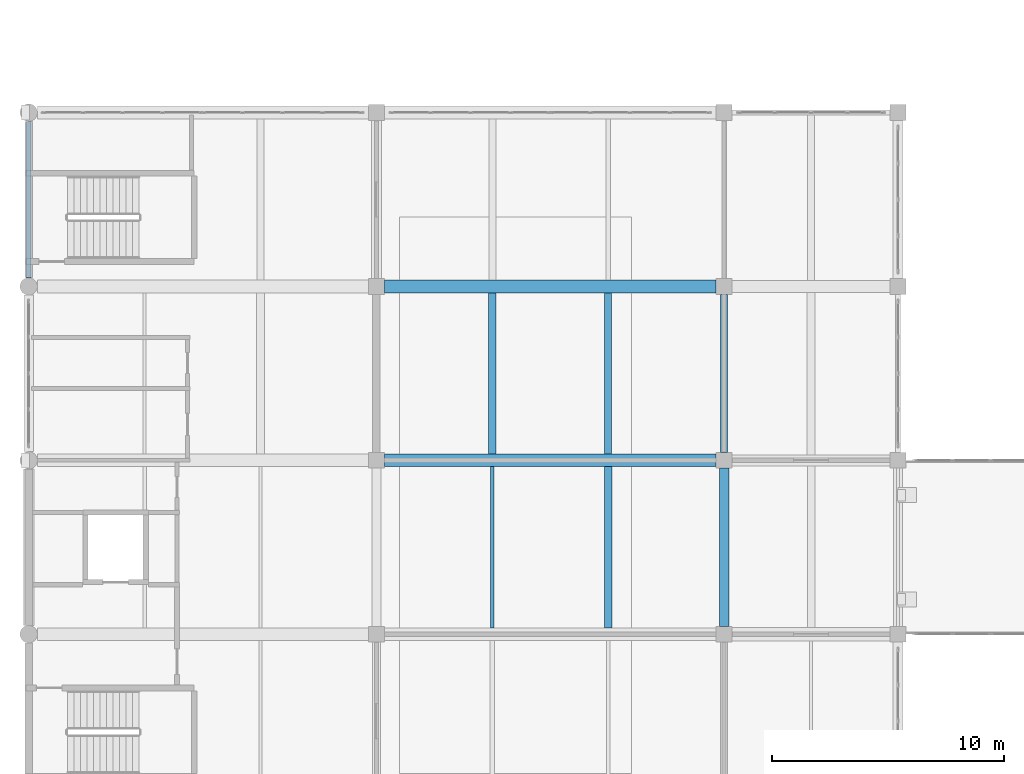
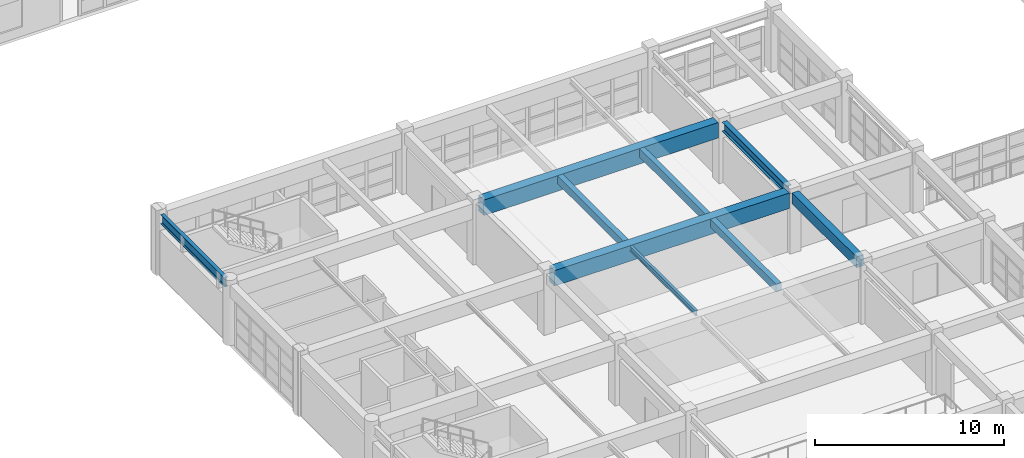
# One storey, part 19 of 132: 9 beams.
"""IFC4 building model written with IfcOpenShell, lengths in metres."""

from ifc_helpers import new_model, si_unit, direction, frame, origin, origin_2d, place, context, subcontext, project, spatial, rectangle, i_section, extrude, material, material_profile, profile_set, type_object, element, save


model = new_model("IFC4")

# Units and contexts
model_context = context("Model", 3, precision=1e-05, world=origin(), true_north=direction((0.0, 1.0)))
body_context = subcontext(model_context, "Body", "Model", "MODEL_VIEW")
ifc_project = project(units=[si_unit("LENGTHUNIT", "METRE"), si_unit("AREAUNIT", "SQUARE_METRE"), si_unit("VOLUMEUNIT", "CUBIC_METRE"), si_unit("PLANEANGLEUNIT", "RADIAN"), si_unit("MASSUNIT", "GRAM", prefix="KILO")], contexts=[model_context])

# Site, building, storey
site_placement = place(None, origin())
site = spatial("IfcSite", under=ifc_project, at=site_placement, CompositionType="ELEMENT")
building_placement = place(site_placement, origin())
building = spatial("IfcBuilding", under=site, at=building_placement, Name="Qasida Concert Hall", CompositionType="ELEMENT")
storey_placement = place(building_placement, frame((0.0, 0.0, 4.800048828125)))
storey = spatial("IfcBuildingStorey", under=building, at=storey_placement, Name="L01", CompositionType="ELEMENT", Elevation=4.800048828125)

# Beams
ifc_material_1 = material(Name="Concrete C40/50", Category="concrete")
ifc_material_profile_1 = material_profile(ifc_material_1, rectangle(XDim=0.419921875, YDim=0.699951171875, at=origin_2d()), Name="RC 420x700")
ifc_profile_set_1 = profile_set([ifc_material_profile_1], Name="Concrete C40/50")
beam_type_1 = type_object("IfcBeamType", Name="BM-B11", PredefinedType="BEAM", material=ifc_profile_set_1)
beam_1_placement = place(storey_placement, frame((30.0, 30.340087890625, 3.570068359375), z_axis=(0.0, 1.0, 0.0), x_axis=(-1.0, 0.0, 0.0)))
element("IfcBeam", 1, at=beam_1_placement, inside=storey, type_object=beam_type_1, Name="L01 girder 0938", PredefinedType="BEAM", context=body_context, shape_type="SweptSolid", body=[
    extrude(rectangle(XDim=0.419921875, YDim=0.699951171875, at=origin_2d()), origin(), (0.0, 0.0, 1.0), 6.81982421875),
])
ifc_material_2 = material(Name="Steel S355J2", Category="steel")
ifc_material_profile_2 = material_profile(ifc_material_2, i_section(OverallWidth=0.300048828125, OverallDepth=0.60009765625, WebThickness=0.015380859375, FlangeThickness=0.030029296875, FilletRadius=0.027099609375, at=origin_2d()), Name="HEB 600")
ifc_profile_set_2 = profile_set([ifc_material_profile_2], Name="Steel S355J2")
beam_type_2 = type_object("IfcBeamType", Name="BM-B6", PredefinedType="BEAM", material=ifc_profile_set_2)
beam_2_placement = place(storey_placement, frame((30.0, 37.840087890625, 3.619873046875), z_axis=(0.0, 1.0, 0.0), x_axis=(-1.0, 0.0, 0.0)))
element("IfcBeam", 2, at=beam_2_placement, inside=storey, type_object=beam_type_2, Name="L01 girder 0939", PredefinedType="BEAM", context=body_context, shape_type="SweptSolid", body=[
    extrude(i_section(OverallWidth=0.300048828125, OverallDepth=0.60009765625, WebThickness=0.015380859375, FlangeThickness=0.030029296875, FilletRadius=0.027099609375, at=origin_2d()), origin(), (0.0, 0.0, 1.0), 6.81982421875),
])
ifc_material_profile_3 = material_profile(ifc_material_1, rectangle(XDim=0.550048828125, YDim=1.0, at=origin_2d()), Name="RC 550x1000")
ifc_profile_set_3 = profile_set([ifc_material_profile_3], Name="Concrete C40/50")
beam_type_3 = type_object("IfcBeamType", Name="BM-G3", PredefinedType="USERDEFINED", material=ifc_profile_set_3)
for number, where, z_axis, x_axis, name in (
    (3, (15.340087890625, 37.5, 3.419921875), (1.0, 0.0, 0.0), (0.0, 1.0, 0.0), "Primary girder 0912"),
    (4, (15.340087890625, 45.0, 3.419921875), (1.0, 0.0, 0.0), (0.0, 1.0, 0.0), "Primary girder 0915"),
):
    element("IfcBeam", number, at=place(storey_placement, frame(where, z_axis=z_axis, x_axis=x_axis)), inside=storey, type_object=beam_type_3, Name=name, ObjectType="GIRDER", PredefinedType="USERDEFINED", context=body_context, shape_type="SweptSolid", body=[
        extrude(rectangle(XDim=0.550048828125, YDim=1.0, at=origin_2d()), origin(), (0.0, 0.0, 1.0), 14.31982421875),
    ])
ifc_material_profile_4 = material_profile(ifc_material_1, rectangle(XDim=0.300048828125, YDim=0.550048828125, at=origin_2d()), Name="RC 300x550")
ifc_profile_set_4 = profile_set([ifc_material_profile_4], Name="Concrete C40/50")
beam_type_4 = type_object("IfcBeamType", Name="BM-J1", PredefinedType="JOIST", material=ifc_profile_set_4)
beam_3_placement = place(storey_placement, frame((25.0, 37.77490234375, 3.64501953125), z_axis=(0.0, 1.0, 0.0), x_axis=(-1.0, 0.0, 0.0)))
element("IfcBeam", 5, at=beam_3_placement, inside=storey, type_object=beam_type_4, Name="L01 secondary joist 0967", PredefinedType="JOIST", context=body_context, shape_type="SweptSolid", body=[
    extrude(rectangle(XDim=0.300048828125, YDim=0.550048828125, at=origin_2d()), origin(), (0.0, 0.0, 1.0), 6.9501953125),
])
ifc_material_profile_5 = material_profile(ifc_material_2, i_section(OverallWidth=0.159912109375, OverallDepth=0.330078125, WebThickness=0.007568359375, FlangeThickness=0.011474609375, FilletRadius=0.01806640625, at=origin_2d()), Name="IPE 330")
ifc_profile_set_5 = profile_set([ifc_material_profile_5], Name="Steel S355J2")
beam_type_5 = type_object("IfcBeamType", Name="BM-J5", PredefinedType="JOIST", material=ifc_profile_set_5)
beam_4_placement = place(storey_placement, frame((20.0, 30.27490234375, 3.7548828125), z_axis=(0.0, 1.0, 0.0), x_axis=(-1.0, 0.0, 0.0)))
element("IfcBeam", 6, at=beam_4_placement, inside=storey, type_object=beam_type_5, Name="L01 secondary joist 0964", PredefinedType="JOIST", context=body_context, shape_type="SweptSolid", body=[
    extrude(i_section(OverallWidth=0.159912109375, OverallDepth=0.330078125, WebThickness=0.007568359375, FlangeThickness=0.011474609375, FilletRadius=0.01806640625, at=origin_2d()), origin(), (0.0, 0.0, 1.0), 6.9501953125),
])
ifc_material_profile_6 = material_profile(ifc_material_1, rectangle(XDim=0.320068359375, YDim=0.5, at=origin_2d()), Name="RC 320x500")
ifc_profile_set_6 = profile_set([ifc_material_profile_6], Name="Concrete C40/50")
beam_type_6 = type_object("IfcBeamType", Name="BM-J7", PredefinedType="JOIST", material=ifc_profile_set_6)
for number, where, z_axis, x_axis, name in (
    (7, (25.0, 30.27490234375, 3.669921875), (0.0, 1.0, 0.0), (-1.0, 0.0, 0.0), "L01 secondary joist 0965"),
    (8, (20.0, 37.77490234375, 3.669921875), (0.0, 1.0, 0.0), (-1.0, 0.0, 0.0), "L01 secondary joist 0966"),
):
    element("IfcBeam", number, at=place(storey_placement, frame(where, z_axis=z_axis, x_axis=x_axis)), inside=storey, type_object=beam_type_6, Name=name, PredefinedType="JOIST", context=body_context, shape_type="SweptSolid", body=[
        extrude(rectangle(XDim=0.320068359375, YDim=0.5, at=origin_2d()), origin(), (0.0, 0.0, 1.0), 6.9501953125),
    ])
ifc_material_profile_7 = material_profile(ifc_material_2, i_section(OverallWidth=0.219970703125, OverallDepth=0.60009765625, WebThickness=0.011962890625, FlangeThickness=0.01904296875, FilletRadius=0.02392578125, at=origin_2d()), Name="IPE 600")
ifc_profile_set_7 = profile_set([ifc_material_profile_7], Name="Steel S355J2")
beam_type_7 = type_object("IfcBeamType", Name="BM-SP3", PredefinedType="SPANDREL", material=ifc_profile_set_7)
beam_5_placement = place(storey_placement, frame((0.0, 45.375, 3.619873046875), z_axis=(0.0, 1.0, 0.0), x_axis=(-1.0, 0.0, 0.0)))
element("IfcBeam", 9, at=beam_5_placement, inside=storey, type_object=beam_type_7, Name="L01 girder 0926", PredefinedType="SPANDREL", context=body_context, shape_type="SweptSolid", body=[
    extrude(i_section(OverallWidth=0.219970703125, OverallDepth=0.60009765625, WebThickness=0.011962890625, FlangeThickness=0.01904296875, FilletRadius=0.02392578125, at=origin_2d()), origin(), (0.0, 0.0, 1.0), 6.75),
])

save(model, "model.ifc")
